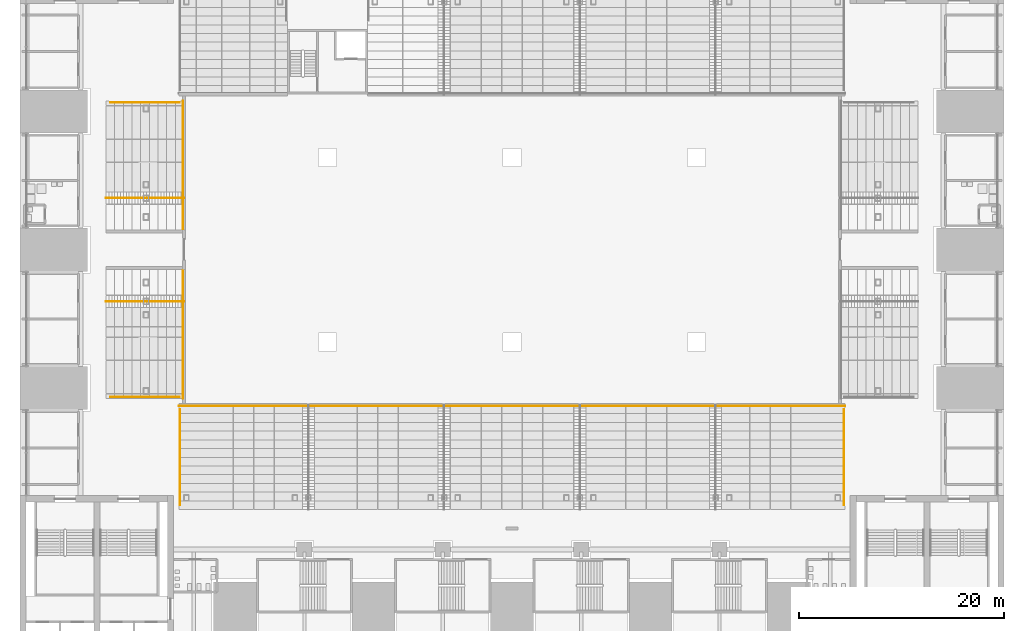
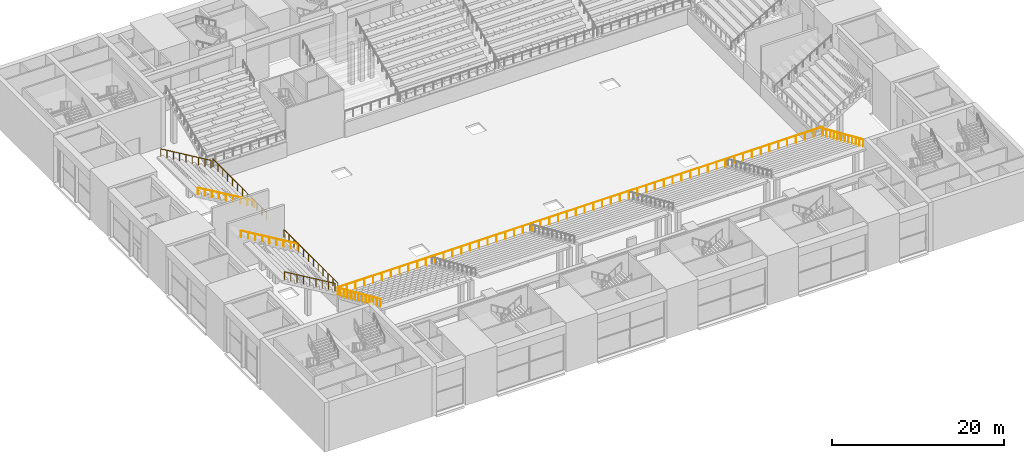
# One storey, part 56 of 62: 3 railings.
"""IFC4 building model written with IfcOpenShell, lengths in metres."""

from ifc_helpers import new_model, si_unit, direction, frame, origin, origin_2d, place, context, subcontext, project, spatial, circle, extrude, material, type_object, element, save


model = new_model("IFC4")

# Units and contexts
model_context = context("Model", 3, precision=1e-05, world=origin(), true_north=direction((0.0, 1.0)))
body_context = subcontext(model_context, "Body", "Model", "MODEL_VIEW")
ifc_project = project(units=[si_unit("LENGTHUNIT", "METRE"), si_unit("AREAUNIT", "SQUARE_METRE"), si_unit("VOLUMEUNIT", "CUBIC_METRE"), si_unit("PLANEANGLEUNIT", "RADIAN"), si_unit("MASSUNIT", "GRAM", prefix="KILO")], contexts=[model_context])

# Site, building, storey
site_placement = place(None, origin())
site = spatial("IfcSite", under=ifc_project, at=site_placement, CompositionType="ELEMENT")
building_placement = place(site_placement, origin())
building = spatial("IfcBuilding", under=site, at=building_placement, Name="Corbelhall Arena Tower", CompositionType="ELEMENT")
storey_placement = place(building_placement, frame((0.0, 0.0, 12.0)))
storey = spatial("IfcBuildingStorey", under=building, at=storey_placement, Name="L01", CompositionType="ELEMENT", Elevation=12.0)

# Railings
ifc_material_1 = material(Name="Stainless steel A4 and laminated glass", Category="steel")
railing_type_1 = type_object("IfcRailingType", Name="AR-GUARD-GLASS", PredefinedType="GUARDRAIL", material=ifc_material_1)
railing_1_placement = place(storey_placement, frame((32.5, -15.25, 2.5)))
element("IfcRailing", 1, at=railing_1_placement, inside=storey, type_object=railing_type_1, Name="Tier guards LS", PredefinedType="GUARDRAIL", context=body_context, shape_type="SweptSolid", body=[
    extrude(circle(Radius=0.02392578125, at=origin_2d()), frame((0.0, 0.0, 1.076171875), z_axis=(-1.0, 0.0, 0.0), x_axis=(0.0, -1.0, 0.0)), (0.0, 0.0, 1.0), 65.0),
    extrude(circle(Radius=0.02392578125, at=origin_2d()), frame((-0.1201171875, -0.324951171875, 1.076171875), z_axis=(0.0, -0.914934924949, 0.403601391362), x_axis=(1.0, 0.0, 0.0)), (0.0, 0.0, 1.0), 0.92919921875),
    extrude(circle(Radius=0.02392578125, at=origin_2d()), frame((-0.1201171875, -1.175048828125, 1.451171875), z_axis=(0.0, -0.914892107244, 0.403698442036), x_axis=(1.0, 0.0, 0.0)), (0.0, 0.0, 1.0), 0.928955078125),
    extrude(circle(Radius=0.02392578125, at=origin_2d()), frame((-0.1201171875, -2.02490234375, 1.826171875), z_axis=(0.0, -0.914934924949, 0.403601391362), x_axis=(1.0, 0.0, 0.0)), (0.0, 0.0, 1.0), 0.92919921875),
    extrude(circle(Radius=0.02392578125, at=origin_2d()), frame((-0.1201171875, -2.875, 2.201171875), z_axis=(0.0, -0.914934924949, 0.403601391362), x_axis=(1.0, 0.0, 0.0)), (0.0, 0.0, 1.0), 0.92919921875),
    extrude(circle(Radius=0.02392578125, at=origin_2d()), frame((-0.1201171875, -3.72509765625, 2.576171875), z_axis=(0.0, -0.914892107244, 0.403698442036), x_axis=(1.0, 0.0, 0.0)), (0.0, 0.0, 1.0), 0.928955078125),
    extrude(circle(Radius=0.02392578125, at=origin_2d()), frame((-0.1201171875, -4.574951171875, 2.951171875), z_axis=(0.0, -0.914934924949, 0.403601391362), x_axis=(1.0, 0.0, 0.0)), (0.0, 0.0, 1.0), 0.92919921875),
    extrude(circle(Radius=0.02392578125, at=origin_2d()), frame((-0.1201171875, -5.425048828125, 3.326171875), z_axis=(0.0, -0.914892107244, 0.403698442036), x_axis=(1.0, 0.0, 0.0)), (0.0, 0.0, 1.0), 0.928955078125),
    extrude(circle(Radius=0.02392578125, at=origin_2d()), frame((-0.1201171875, -6.27490234375, 3.701171875), z_axis=(0.0, -0.914934924949, 0.403601391362), x_axis=(1.0, 0.0, 0.0)), (0.0, 0.0, 1.0), 0.92919921875),
    extrude(circle(Radius=0.02392578125, at=origin_2d()), frame((-0.1201171875, -7.125, 4.076171875), z_axis=(0.0, -0.914934924949, 0.403601391362), x_axis=(1.0, 0.0, 0.0)), (0.0, 0.0, 1.0), 0.92919921875),
    extrude(circle(Radius=0.02392578125, at=origin_2d()), frame((-0.1201171875, -7.97509765625, 4.451171875), z_axis=(0.0, -0.914892107244, 0.403698442036), x_axis=(1.0, 0.0, 0.0)), (0.0, 0.0, 1.0), 0.928955078125),
    extrude(circle(Radius=0.02392578125, at=origin_2d()), frame((-0.1201171875, -8.824951171875, 4.826171875), z_axis=(0.0, -0.914934924949, 0.403601391362), x_axis=(1.0, 0.0, 0.0)), (0.0, 0.0, 1.0), 0.92919921875),
    extrude(circle(Radius=0.02392578125, at=origin_2d()), frame((-64.8798828125, -0.324951171875, 1.076171875), z_axis=(0.0, -0.914934924949, 0.403601391362), x_axis=(1.0, 0.0, 0.0)), (0.0, 0.0, 1.0), 0.92919921875),
    extrude(circle(Radius=0.02392578125, at=origin_2d()), frame((-64.8798828125, -1.175048828125, 1.451171875), z_axis=(0.0, -0.914892107244, 0.403698442036), x_axis=(1.0, 0.0, 0.0)), (0.0, 0.0, 1.0), 0.928955078125),
    extrude(circle(Radius=0.02392578125, at=origin_2d()), frame((-64.8798828125, -2.02490234375, 1.826171875), z_axis=(0.0, -0.914934924949, 0.403601391362), x_axis=(1.0, 0.0, 0.0)), (0.0, 0.0, 1.0), 0.92919921875),
    extrude(circle(Radius=0.02392578125, at=origin_2d()), frame((-64.8798828125, -2.875, 2.201171875), z_axis=(0.0, -0.914934924949, 0.403601391362), x_axis=(1.0, 0.0, 0.0)), (0.0, 0.0, 1.0), 0.92919921875),
    extrude(circle(Radius=0.02392578125, at=origin_2d()), frame((-64.8798828125, -3.72509765625, 2.576171875), z_axis=(0.0, -0.914892107244, 0.403698442036), x_axis=(1.0, 0.0, 0.0)), (0.0, 0.0, 1.0), 0.928955078125),
    extrude(circle(Radius=0.02392578125, at=origin_2d()), frame((-64.8798828125, -4.574951171875, 2.951171875), z_axis=(0.0, -0.914934924949, 0.403601391362), x_axis=(1.0, 0.0, 0.0)), (0.0, 0.0, 1.0), 0.92919921875),
    extrude(circle(Radius=0.02392578125, at=origin_2d()), frame((-64.8798828125, -5.425048828125, 3.326171875), z_axis=(0.0, -0.914892107244, 0.403698442036), x_axis=(1.0, 0.0, 0.0)), (0.0, 0.0, 1.0), 0.928955078125),
    extrude(circle(Radius=0.02392578125, at=origin_2d()), frame((-64.8798828125, -6.27490234375, 3.701171875), z_axis=(0.0, -0.914934924949, 0.403601391362), x_axis=(1.0, 0.0, 0.0)), (0.0, 0.0, 1.0), 0.92919921875),
    extrude(circle(Radius=0.02392578125, at=origin_2d()), frame((-64.8798828125, -7.125, 4.076171875), z_axis=(0.0, -0.914934924949, 0.403601391362), x_axis=(1.0, 0.0, 0.0)), (0.0, 0.0, 1.0), 0.92919921875),
    extrude(circle(Radius=0.02392578125, at=origin_2d()), frame((-64.8798828125, -7.97509765625, 4.451171875), z_axis=(0.0, -0.914892107244, 0.403698442036), x_axis=(1.0, 0.0, 0.0)), (0.0, 0.0, 1.0), 0.928955078125),
    extrude(circle(Radius=0.02392578125, at=origin_2d()), frame((-64.8798828125, -8.824951171875, 4.826171875), z_axis=(0.0, -0.914934924949, 0.403601391362), x_axis=(1.0, 0.0, 0.0)), (0.0, 0.0, 1.0), 0.92919921875),
    extrude(circle(Radius=0.02099609375, at=origin_2d()), origin(), (0.0, 0.0, 1.0), 1.052001953125),
    extrude(circle(Radius=0.02099609375, at=origin_2d()), frame((-1.181884765625, 0.0, 0.0)), (0.0, 0.0, 1.0), 1.052001953125),
    extrude(circle(Radius=0.02099609375, at=origin_2d()), frame((-2.363525390625, 0.0, 0.0)), (0.0, 0.0, 1.0), 1.052001953125),
    extrude(circle(Radius=0.02099609375, at=origin_2d()), frame((-3.54541015625, 0.0, 0.0)), (0.0, 0.0, 1.0), 1.052001953125),
    extrude(circle(Radius=0.02099609375, at=origin_2d()), frame((-4.727294921875, 0.0, 0.0)), (0.0, 0.0, 1.0), 1.052001953125),
    extrude(circle(Radius=0.02099609375, at=origin_2d()), frame((-5.9091796875, 0.0, 0.0)), (0.0, 0.0, 1.0), 1.052001953125),
    extrude(circle(Radius=0.02099609375, at=origin_2d()), frame((-7.0908203125, 0.0, 0.0)), (0.0, 0.0, 1.0), 1.052001953125),
    extrude(circle(Radius=0.02099609375, at=origin_2d()), frame((-8.272705078125, 0.0, 0.0)), (0.0, 0.0, 1.0), 1.052001953125),
    extrude(circle(Radius=0.02099609375, at=origin_2d()), frame((-9.45458984375, 0.0, 0.0)), (0.0, 0.0, 1.0), 1.052001953125),
    extrude(circle(Radius=0.02099609375, at=origin_2d()), frame((-10.636474609375, 0.0, 0.0)), (0.0, 0.0, 1.0), 1.052001953125),
    extrude(circle(Radius=0.02099609375, at=origin_2d()), frame((-11.818115234375, 0.0, 0.0)), (0.0, 0.0, 1.0), 1.052001953125),
    extrude(circle(Radius=0.02099609375, at=origin_2d()), frame((-13.0, 0.0, 0.0)), (0.0, 0.0, 1.0), 1.052001953125),
    extrude(circle(Radius=0.02099609375, at=origin_2d()), frame((-14.181884765625, 0.0, 0.0)), (0.0, 0.0, 1.0), 1.052001953125),
    extrude(circle(Radius=0.02099609375, at=origin_2d()), frame((-15.363525390625, 0.0, 0.0)), (0.0, 0.0, 1.0), 1.052001953125),
    extrude(circle(Radius=0.02099609375, at=origin_2d()), frame((-16.54541015625, 0.0, 0.0)), (0.0, 0.0, 1.0), 1.052001953125),
    extrude(circle(Radius=0.02099609375, at=origin_2d()), frame((-17.727294921875, 0.0, 0.0)), (0.0, 0.0, 1.0), 1.052001953125),
    extrude(circle(Radius=0.02099609375, at=origin_2d()), frame((-18.9091796875, 0.0, 0.0)), (0.0, 0.0, 1.0), 1.052001953125),
    extrude(circle(Radius=0.02099609375, at=origin_2d()), frame((-20.0908203125, 0.0, 0.0)), (0.0, 0.0, 1.0), 1.052001953125),
    extrude(circle(Radius=0.02099609375, at=origin_2d()), frame((-21.272705078125, 0.0, 0.0)), (0.0, 0.0, 1.0), 1.052001953125),
    extrude(circle(Radius=0.02099609375, at=origin_2d()), frame((-22.45458984375, 0.0, 0.0)), (0.0, 0.0, 1.0), 1.052001953125),
    extrude(circle(Radius=0.02099609375, at=origin_2d()), frame((-23.636474609375, 0.0, 0.0)), (0.0, 0.0, 1.0), 1.052001953125),
    extrude(circle(Radius=0.02099609375, at=origin_2d()), frame((-24.818115234375, 0.0, 0.0)), (0.0, 0.0, 1.0), 1.052001953125),
    extrude(circle(Radius=0.02099609375, at=origin_2d()), frame((-26.0, 0.0, 0.0)), (0.0, 0.0, 1.0), 1.052001953125),
    extrude(circle(Radius=0.02099609375, at=origin_2d()), frame((-27.181884765625, 0.0, 0.0)), (0.0, 0.0, 1.0), 1.052001953125),
    extrude(circle(Radius=0.02099609375, at=origin_2d()), frame((-28.363525390625, 0.0, 0.0)), (0.0, 0.0, 1.0), 1.052001953125),
    extrude(circle(Radius=0.02099609375, at=origin_2d()), frame((-29.54541015625, 0.0, 0.0)), (0.0, 0.0, 1.0), 1.052001953125),
    extrude(circle(Radius=0.02099609375, at=origin_2d()), frame((-30.727294921875, 0.0, 0.0)), (0.0, 0.0, 1.0), 1.052001953125),
    extrude(circle(Radius=0.02099609375, at=origin_2d()), frame((-31.9091796875, 0.0, 0.0)), (0.0, 0.0, 1.0), 1.052001953125),
    extrude(circle(Radius=0.02099609375, at=origin_2d()), frame((-33.0908203125, 0.0, 0.0)), (0.0, 0.0, 1.0), 1.052001953125),
    extrude(circle(Radius=0.02099609375, at=origin_2d()), frame((-34.272705078125, 0.0, 0.0)), (0.0, 0.0, 1.0), 1.052001953125),
    extrude(circle(Radius=0.02099609375, at=origin_2d()), frame((-35.45458984375, 0.0, 0.0)), (0.0, 0.0, 1.0), 1.052001953125),
    extrude(circle(Radius=0.02099609375, at=origin_2d()), frame((-36.636474609375, 0.0, 0.0)), (0.0, 0.0, 1.0), 1.052001953125),
    extrude(circle(Radius=0.02099609375, at=origin_2d()), frame((-37.818115234375, 0.0, 0.0)), (0.0, 0.0, 1.0), 1.052001953125),
    extrude(circle(Radius=0.02099609375, at=origin_2d()), frame((-39.0, 0.0, 0.0)), (0.0, 0.0, 1.0), 1.052001953125),
    extrude(circle(Radius=0.02099609375, at=origin_2d()), frame((-40.181884765625, 0.0, 0.0)), (0.0, 0.0, 1.0), 1.052001953125),
    extrude(circle(Radius=0.02099609375, at=origin_2d()), frame((-41.363525390625, 0.0, 0.0)), (0.0, 0.0, 1.0), 1.052001953125),
    extrude(circle(Radius=0.02099609375, at=origin_2d()), frame((-42.54541015625, 0.0, 0.0)), (0.0, 0.0, 1.0), 1.052001953125),
    extrude(circle(Radius=0.02099609375, at=origin_2d()), frame((-43.727294921875, 0.0, 0.0)), (0.0, 0.0, 1.0), 1.052001953125),
    extrude(circle(Radius=0.02099609375, at=origin_2d()), frame((-44.9091796875, 0.0, 0.0)), (0.0, 0.0, 1.0), 1.052001953125),
    extrude(circle(Radius=0.02099609375, at=origin_2d()), frame((-46.0908203125, 0.0, 0.0)), (0.0, 0.0, 1.0), 1.052001953125),
    extrude(circle(Radius=0.02099609375, at=origin_2d()), frame((-47.272705078125, 0.0, 0.0)), (0.0, 0.0, 1.0), 1.052001953125),
    extrude(circle(Radius=0.02099609375, at=origin_2d()), frame((-48.45458984375, 0.0, 0.0)), (0.0, 0.0, 1.0), 1.052001953125),
    extrude(circle(Radius=0.02099609375, at=origin_2d()), frame((-49.636474609375, 0.0, 0.0)), (0.0, 0.0, 1.0), 1.052001953125),
    extrude(circle(Radius=0.02099609375, at=origin_2d()), frame((-50.818115234375, 0.0, 0.0)), (0.0, 0.0, 1.0), 1.052001953125),
    extrude(circle(Radius=0.02099609375, at=origin_2d()), frame((-52.0, 0.0, 0.0)), (0.0, 0.0, 1.0), 1.052001953125),
    extrude(circle(Radius=0.02099609375, at=origin_2d()), frame((-53.181884765625, 0.0, 0.0)), (0.0, 0.0, 1.0), 1.052001953125),
    extrude(circle(Radius=0.02099609375, at=origin_2d()), frame((-54.363525390625, 0.0, 0.0)), (0.0, 0.0, 1.0), 1.052001953125),
    extrude(circle(Radius=0.02099609375, at=origin_2d()), frame((-55.54541015625, 0.0, 0.0)), (0.0, 0.0, 1.0), 1.052001953125),
    extrude(circle(Radius=0.02099609375, at=origin_2d()), frame((-56.727294921875, 0.0, 0.0)), (0.0, 0.0, 1.0), 1.052001953125),
    extrude(circle(Radius=0.02099609375, at=origin_2d()), frame((-57.9091796875, 0.0, 0.0)), (0.0, 0.0, 1.0), 1.052001953125),
    extrude(circle(Radius=0.02099609375, at=origin_2d()), frame((-59.0908203125, 0.0, 0.0)), (0.0, 0.0, 1.0), 1.052001953125),
    extrude(circle(Radius=0.02099609375, at=origin_2d()), frame((-60.272705078125, 0.0, 0.0)), (0.0, 0.0, 1.0), 1.052001953125),
    extrude(circle(Radius=0.02099609375, at=origin_2d()), frame((-61.45458984375, 0.0, 0.0)), (0.0, 0.0, 1.0), 1.052001953125),
    extrude(circle(Radius=0.02099609375, at=origin_2d()), frame((-62.636474609375, 0.0, 0.0)), (0.0, 0.0, 1.0), 1.052001953125),
    extrude(circle(Radius=0.02099609375, at=origin_2d()), frame((-63.818115234375, 0.0, 0.0)), (0.0, 0.0, 1.0), 1.052001953125),
    extrude(circle(Radius=0.02099609375, at=origin_2d()), frame((-65.0, 0.0, 0.0)), (0.0, 0.0, 1.0), 1.052001953125),
    extrude(circle(Radius=0.02099609375, at=origin_2d()), frame((-0.1201171875, -0.324951171875, 0.0)), (0.0, 0.0, 1.0), 1.052001953125),
    extrude(circle(Radius=0.02099609375, at=origin_2d()), frame((-0.1201171875, -1.175048828125, 0.375)), (0.0, 0.0, 1.0), 1.052001953125),
    extrude(circle(Radius=0.02099609375, at=origin_2d()), frame((-0.1201171875, -2.02490234375, 0.75)), (0.0, 0.0, 1.0), 1.052001953125),
    extrude(circle(Radius=0.02099609375, at=origin_2d()), frame((-0.1201171875, -2.875, 1.125)), (0.0, 0.0, 1.0), 1.052001953125),
    extrude(circle(Radius=0.02099609375, at=origin_2d()), frame((-0.1201171875, -3.72509765625, 1.5)), (0.0, 0.0, 1.0), 1.052001953125),
    extrude(circle(Radius=0.02099609375, at=origin_2d()), frame((-0.1201171875, -4.574951171875, 1.875)), (0.0, 0.0, 1.0), 1.052001953125),
    extrude(circle(Radius=0.02099609375, at=origin_2d()), frame((-0.1201171875, -5.425048828125, 2.25)), (0.0, 0.0, 1.0), 1.052001953125),
    extrude(circle(Radius=0.02099609375, at=origin_2d()), frame((-0.1201171875, -6.27490234375, 2.625)), (0.0, 0.0, 1.0), 1.052001953125),
    extrude(circle(Radius=0.02099609375, at=origin_2d()), frame((-0.1201171875, -7.125, 3.0)), (0.0, 0.0, 1.0), 1.052001953125),
    extrude(circle(Radius=0.02099609375, at=origin_2d()), frame((-0.1201171875, -7.97509765625, 3.375)), (0.0, 0.0, 1.0), 1.052001953125),
    extrude(circle(Radius=0.02099609375, at=origin_2d()), frame((-0.1201171875, -8.824951171875, 3.75)), (0.0, 0.0, 1.0), 1.052001953125),
    extrude(circle(Radius=0.02099609375, at=origin_2d()), frame((-0.1201171875, -9.675048828125, 4.125)), (0.0, 0.0, 1.0), 1.052001953125),
    extrude(circle(Radius=0.02099609375, at=origin_2d()), frame((-64.8798828125, -0.324951171875, 0.0)), (0.0, 0.0, 1.0), 1.052001953125),
    extrude(circle(Radius=0.02099609375, at=origin_2d()), frame((-64.8798828125, -1.175048828125, 0.375)), (0.0, 0.0, 1.0), 1.052001953125),
    extrude(circle(Radius=0.02099609375, at=origin_2d()), frame((-64.8798828125, -2.02490234375, 0.75)), (0.0, 0.0, 1.0), 1.052001953125),
    extrude(circle(Radius=0.02099609375, at=origin_2d()), frame((-64.8798828125, -2.875, 1.125)), (0.0, 0.0, 1.0), 1.052001953125),
    extrude(circle(Radius=0.02099609375, at=origin_2d()), frame((-64.8798828125, -3.72509765625, 1.5)), (0.0, 0.0, 1.0), 1.052001953125),
    extrude(circle(Radius=0.02099609375, at=origin_2d()), frame((-64.8798828125, -4.574951171875, 1.875)), (0.0, 0.0, 1.0), 1.052001953125),
    extrude(circle(Radius=0.02099609375, at=origin_2d()), frame((-64.8798828125, -5.425048828125, 2.25)), (0.0, 0.0, 1.0), 1.052001953125),
    extrude(circle(Radius=0.02099609375, at=origin_2d()), frame((-64.8798828125, -6.27490234375, 2.625)), (0.0, 0.0, 1.0), 1.052001953125),
    extrude(circle(Radius=0.02099609375, at=origin_2d()), frame((-64.8798828125, -7.125, 3.0)), (0.0, 0.0, 1.0), 1.052001953125),
    extrude(circle(Radius=0.02099609375, at=origin_2d()), frame((-64.8798828125, -7.97509765625, 3.375)), (0.0, 0.0, 1.0), 1.052001953125),
    extrude(circle(Radius=0.02099609375, at=origin_2d()), frame((-64.8798828125, -8.824951171875, 3.75)), (0.0, 0.0, 1.0), 1.052001953125),
    extrude(circle(Radius=0.02099609375, at=origin_2d()), frame((-64.8798828125, -9.675048828125, 4.125)), (0.0, 0.0, 1.0), 1.052001953125),
])
railing_2_placement = place(storey_placement, frame((-32.10009765625, 14.5, 2.5)))
element("IfcRailing", 2, at=railing_2_placement, inside=storey, type_object=railing_type_1, Name="Tier guards LW", PredefinedType="GUARDRAIL", context=body_context, shape_type="SweptSolid", body=[
    extrude(circle(Radius=0.02392578125, at=origin_2d()), frame((0.0, 0.0, 1.076171875), z_axis=(0.0, -1.0, 0.0), x_axis=(1.0, 0.0, 0.0)), (0.0, 0.0, 1.0), 12.489990234375),
    extrude(circle(Radius=0.02392578125, at=origin_2d()), frame((0.0, -16.510009765625, 1.076171875), z_axis=(0.0, -1.0, 0.0), x_axis=(1.0, 0.0, 0.0)), (0.0, 0.0, 1.0), 12.489990234375),
    extrude(circle(Radius=0.02392578125, at=origin_2d()), frame((-0.322509765625, -0.1201171875, 1.076171875), z_axis=(-0.860614493438, 0.0, 0.509257001606), x_axis=(0.0, -1.0, 0.0)), (0.0, 0.0, 1.0), 0.98193359375),
    extrude(circle(Radius=0.02392578125, at=origin_2d()), frame((-1.16748046875, -0.1201171875, 1.576171875), z_axis=(-0.860614493438, 0.0, 0.509257001606), x_axis=(0.0, -1.0, 0.0)), (0.0, 0.0, 1.0), 0.98193359375),
    extrude(circle(Radius=0.02392578125, at=origin_2d()), frame((-2.012451171875, -0.1201171875, 2.076171875), z_axis=(-0.860614493438, 0.0, 0.509257001606), x_axis=(0.0, -1.0, 0.0)), (0.0, 0.0, 1.0), 0.98193359375),
    extrude(circle(Radius=0.02392578125, at=origin_2d()), frame((-2.857421875, -0.1201171875, 2.576171875), z_axis=(-0.860614493438, 0.0, 0.509257001606), x_axis=(0.0, -1.0, 0.0)), (0.0, 0.0, 1.0), 0.98193359375),
    extrude(circle(Radius=0.02392578125, at=origin_2d()), frame((-3.702392578125, -0.1201171875, 3.076171875), z_axis=(-0.860614493438, 0.0, 0.509257001606), x_axis=(0.0, -1.0, 0.0)), (0.0, 0.0, 1.0), 0.98193359375),
    extrude(circle(Radius=0.02392578125, at=origin_2d()), frame((-4.54736328125, -0.1201171875, 3.576171875), z_axis=(-0.860614493438, 0.0, 0.509257001606), x_axis=(0.0, -1.0, 0.0)), (0.0, 0.0, 1.0), 0.98193359375),
    extrude(circle(Radius=0.02392578125, at=origin_2d()), frame((-5.392333984375, -0.1201171875, 4.076171875), z_axis=(-0.860614493438, 0.0, 0.509257001606), x_axis=(0.0, -1.0, 0.0)), (0.0, 0.0, 1.0), 0.98193359375),
    extrude(circle(Radius=0.02392578125, at=origin_2d()), frame((-6.2373046875, -0.1201171875, 4.576171875), z_axis=(-0.860678961064, 0.0, 0.509148039358), x_axis=(0.0, -1.0, 0.0)), (0.0, 0.0, 1.0), 0.98193359375),
    extrude(circle(Radius=0.02392578125, at=origin_2d()), frame((-0.322509765625, -28.8798828125, 1.076171875), z_axis=(-0.860614493438, 0.0, 0.509257001606), x_axis=(0.0, -1.0, 0.0)), (0.0, 0.0, 1.0), 0.98193359375),
    extrude(circle(Radius=0.02392578125, at=origin_2d()), frame((-1.16748046875, -28.8798828125, 1.576171875), z_axis=(-0.860614493438, 0.0, 0.509257001606), x_axis=(0.0, -1.0, 0.0)), (0.0, 0.0, 1.0), 0.98193359375),
    extrude(circle(Radius=0.02392578125, at=origin_2d()), frame((-2.012451171875, -28.8798828125, 2.076171875), z_axis=(-0.860614493438, 0.0, 0.509257001606), x_axis=(0.0, -1.0, 0.0)), (0.0, 0.0, 1.0), 0.98193359375),
    extrude(circle(Radius=0.02392578125, at=origin_2d()), frame((-2.857421875, -28.8798828125, 2.576171875), z_axis=(-0.860614493438, 0.0, 0.509257001606), x_axis=(0.0, -1.0, 0.0)), (0.0, 0.0, 1.0), 0.98193359375),
    extrude(circle(Radius=0.02392578125, at=origin_2d()), frame((-3.702392578125, -28.8798828125, 3.076171875), z_axis=(-0.860614493438, 0.0, 0.509257001606), x_axis=(0.0, -1.0, 0.0)), (0.0, 0.0, 1.0), 0.98193359375),
    extrude(circle(Radius=0.02392578125, at=origin_2d()), frame((-4.54736328125, -28.8798828125, 3.576171875), z_axis=(-0.860614493438, 0.0, 0.509257001606), x_axis=(0.0, -1.0, 0.0)), (0.0, 0.0, 1.0), 0.98193359375),
    extrude(circle(Radius=0.02392578125, at=origin_2d()), frame((-5.392333984375, -28.8798828125, 4.076171875), z_axis=(-0.860614493438, 0.0, 0.509257001606), x_axis=(0.0, -1.0, 0.0)), (0.0, 0.0, 1.0), 0.98193359375),
    extrude(circle(Radius=0.02392578125, at=origin_2d()), frame((-6.2373046875, -28.8798828125, 4.576171875), z_axis=(-0.860678961064, 0.0, 0.509148039358), x_axis=(0.0, -1.0, 0.0)), (0.0, 0.0, 1.0), 0.98193359375),
    extrude(circle(Radius=0.02099609375, at=origin_2d()), origin(), (0.0, 0.0, 1.0), 1.052001953125),
    extrude(circle(Radius=0.02099609375, at=origin_2d()), frame((0.0, -1.135498046875, 0.0)), (0.0, 0.0, 1.0), 1.052001953125),
    extrude(circle(Radius=0.02099609375, at=origin_2d()), frame((0.0, -2.27099609375, 0.0)), (0.0, 0.0, 1.0), 1.052001953125),
    extrude(circle(Radius=0.02099609375, at=origin_2d()), frame((0.0, -3.40625, 0.0)), (0.0, 0.0, 1.0), 1.052001953125),
    extrude(circle(Radius=0.02099609375, at=origin_2d()), frame((0.0, -4.541748046875, 0.0)), (0.0, 0.0, 1.0), 1.052001953125),
    extrude(circle(Radius=0.02099609375, at=origin_2d()), frame((0.0, -5.67724609375, 0.0)), (0.0, 0.0, 1.0), 1.052001953125),
    extrude(circle(Radius=0.02099609375, at=origin_2d()), frame((0.0, -6.812744140625, 0.0)), (0.0, 0.0, 1.0), 1.052001953125),
    extrude(circle(Radius=0.02099609375, at=origin_2d()), frame((0.0, -7.9482421875, 0.0)), (0.0, 0.0, 1.0), 1.052001953125),
    extrude(circle(Radius=0.02099609375, at=origin_2d()), frame((0.0, -9.083740234375, 0.0)), (0.0, 0.0, 1.0), 1.052001953125),
    extrude(circle(Radius=0.02099609375, at=origin_2d()), frame((0.0, -10.218994140625, 0.0)), (0.0, 0.0, 1.0), 1.052001953125),
    extrude(circle(Radius=0.02099609375, at=origin_2d()), frame((0.0, -11.3544921875, 0.0)), (0.0, 0.0, 1.0), 1.052001953125),
    extrude(circle(Radius=0.02099609375, at=origin_2d()), frame((0.0, -12.489990234375, 0.0)), (0.0, 0.0, 1.0), 1.052001953125),
    extrude(circle(Radius=0.02099609375, at=origin_2d()), frame((0.0, -16.510009765625, 0.0)), (0.0, 0.0, 1.0), 1.052001953125),
    extrude(circle(Radius=0.02099609375, at=origin_2d()), frame((0.0, -17.6455078125, 0.0)), (0.0, 0.0, 1.0), 1.052001953125),
    extrude(circle(Radius=0.02099609375, at=origin_2d()), frame((0.0, -18.781005859375, 0.0)), (0.0, 0.0, 1.0), 1.052001953125),
    extrude(circle(Radius=0.02099609375, at=origin_2d()), frame((0.0, -19.916259765625, 0.0)), (0.0, 0.0, 1.0), 1.052001953125),
    extrude(circle(Radius=0.02099609375, at=origin_2d()), frame((0.0, -21.0517578125, 0.0)), (0.0, 0.0, 1.0), 1.052001953125),
    extrude(circle(Radius=0.02099609375, at=origin_2d()), frame((0.0, -22.187255859375, 0.0)), (0.0, 0.0, 1.0), 1.052001953125),
    extrude(circle(Radius=0.02099609375, at=origin_2d()), frame((0.0, -23.32275390625, 0.0)), (0.0, 0.0, 1.0), 1.052001953125),
    extrude(circle(Radius=0.02099609375, at=origin_2d()), frame((0.0, -24.458251953125, 0.0)), (0.0, 0.0, 1.0), 1.052001953125),
    extrude(circle(Radius=0.02099609375, at=origin_2d()), frame((0.0, -25.59375, 0.0)), (0.0, 0.0, 1.0), 1.052001953125),
    extrude(circle(Radius=0.02099609375, at=origin_2d()), frame((0.0, -26.72900390625, 0.0)), (0.0, 0.0, 1.0), 1.052001953125),
    extrude(circle(Radius=0.02099609375, at=origin_2d()), frame((0.0, -27.864501953125, 0.0)), (0.0, 0.0, 1.0), 1.052001953125),
    extrude(circle(Radius=0.02099609375, at=origin_2d()), frame((0.0, -29.0, 0.0)), (0.0, 0.0, 1.0), 1.052001953125),
    extrude(circle(Radius=0.02099609375, at=origin_2d()), frame((-0.322509765625, -0.1201171875, 0.0)), (0.0, 0.0, 1.0), 1.052001953125),
    extrude(circle(Radius=0.02099609375, at=origin_2d()), frame((-1.16748046875, -0.1201171875, 0.5)), (0.0, 0.0, 1.0), 1.052001953125),
    extrude(circle(Radius=0.02099609375, at=origin_2d()), frame((-2.012451171875, -0.1201171875, 1.0)), (0.0, 0.0, 1.0), 1.052001953125),
    extrude(circle(Radius=0.02099609375, at=origin_2d()), frame((-2.857421875, -0.1201171875, 1.5)), (0.0, 0.0, 1.0), 1.052001953125),
    extrude(circle(Radius=0.02099609375, at=origin_2d()), frame((-3.702392578125, -0.1201171875, 2.0)), (0.0, 0.0, 1.0), 1.052001953125),
    extrude(circle(Radius=0.02099609375, at=origin_2d()), frame((-4.54736328125, -0.1201171875, 2.5)), (0.0, 0.0, 1.0), 1.052001953125),
    extrude(circle(Radius=0.02099609375, at=origin_2d()), frame((-5.392333984375, -0.1201171875, 3.0)), (0.0, 0.0, 1.0), 1.052001953125),
    extrude(circle(Radius=0.02099609375, at=origin_2d()), frame((-6.2373046875, -0.1201171875, 3.5)), (0.0, 0.0, 1.0), 1.052001953125),
    extrude(circle(Radius=0.02099609375, at=origin_2d()), frame((-7.08251953125, -0.1201171875, 4.0)), (0.0, 0.0, 1.0), 1.052001953125),
    extrude(circle(Radius=0.02099609375, at=origin_2d()), frame((-0.322509765625, -28.8798828125, 0.0)), (0.0, 0.0, 1.0), 1.052001953125),
    extrude(circle(Radius=0.02099609375, at=origin_2d()), frame((-1.16748046875, -28.8798828125, 0.5)), (0.0, 0.0, 1.0), 1.052001953125),
    extrude(circle(Radius=0.02099609375, at=origin_2d()), frame((-2.012451171875, -28.8798828125, 1.0)), (0.0, 0.0, 1.0), 1.052001953125),
    extrude(circle(Radius=0.02099609375, at=origin_2d()), frame((-2.857421875, -28.8798828125, 1.5)), (0.0, 0.0, 1.0), 1.052001953125),
    extrude(circle(Radius=0.02099609375, at=origin_2d()), frame((-3.702392578125, -28.8798828125, 2.0)), (0.0, 0.0, 1.0), 1.052001953125),
    extrude(circle(Radius=0.02099609375, at=origin_2d()), frame((-4.54736328125, -28.8798828125, 2.5)), (0.0, 0.0, 1.0), 1.052001953125),
    extrude(circle(Radius=0.02099609375, at=origin_2d()), frame((-5.392333984375, -28.8798828125, 3.0)), (0.0, 0.0, 1.0), 1.052001953125),
    extrude(circle(Radius=0.02099609375, at=origin_2d()), frame((-6.2373046875, -28.8798828125, 3.5)), (0.0, 0.0, 1.0), 1.052001953125),
    extrude(circle(Radius=0.02099609375, at=origin_2d()), frame((-7.08251953125, -28.8798828125, 4.0)), (0.0, 0.0, 1.0), 1.052001953125),
])
ifc_material_2 = material(Name="Stainless steel A4", Category="steel")
railing_type_2 = type_object("IfcRailingType", Name="AR-HANDRAIL-AISLE", PredefinedType="HANDRAIL", material=ifc_material_2)
railing_3_placement = place(storey_placement, frame((-32.0, 5.033203125, 2.5)))
element("IfcRailing", 3, at=railing_3_placement, inside=storey, type_object=railing_type_2, Name="Aisle handrails LW", PredefinedType="HANDRAIL", context=body_context, shape_type="SweptSolid", body=[
    extrude(circle(Radius=0.02392578125, at=origin_2d()), frame((0.0, 0.0, 0.8759765625), z_axis=(-0.860621658551, 0.0, 0.50924489279), x_axis=(0.0, -1.0, 0.0)), (0.0, 0.0, 1.0), 8.836669921875),
    extrude(circle(Radius=0.02392578125, at=origin_2d()), frame((0.0, -10.06640625, 0.8759765625), z_axis=(-0.860621658551, 0.0, 0.50924489279), x_axis=(0.0, -1.0, 0.0)), (0.0, 0.0, 1.0), 8.836669921875),
    extrude(circle(Radius=0.02099609375, at=origin_2d()), origin(), (0.0, 0.0, 1.0), 0.851806640625),
    extrude(circle(Radius=0.02099609375, at=origin_2d()), frame((-0.95068359375, 0.0, 0.5625)), (0.0, 0.0, 1.0), 0.851806640625),
    extrude(circle(Radius=0.02099609375, at=origin_2d()), frame((-1.9013671875, 0.0, 1.125)), (0.0, 0.0, 1.0), 0.851806640625),
    extrude(circle(Radius=0.02099609375, at=origin_2d()), frame((-2.851806640625, 0.0, 1.6875)), (0.0, 0.0, 1.0), 0.851806640625),
    extrude(circle(Radius=0.02099609375, at=origin_2d()), frame((-3.802490234375, 0.0, 2.25)), (0.0, 0.0, 1.0), 0.851806640625),
    extrude(circle(Radius=0.02099609375, at=origin_2d()), frame((-4.753173828125, 0.0, 2.8125)), (0.0, 0.0, 1.0), 0.851806640625),
    extrude(circle(Radius=0.02099609375, at=origin_2d()), frame((-5.70361328125, 0.0, 3.375)), (0.0, 0.0, 1.0), 0.851806640625),
    extrude(circle(Radius=0.02099609375, at=origin_2d()), frame((-6.654296875, 0.0, 3.9375)), (0.0, 0.0, 1.0), 0.851806640625),
    extrude(circle(Radius=0.02099609375, at=origin_2d()), frame((-7.60498046875, 0.0, 4.5)), (0.0, 0.0, 1.0), 0.851806640625),
    extrude(circle(Radius=0.02099609375, at=origin_2d()), frame((0.0, -10.06640625, 0.0)), (0.0, 0.0, 1.0), 0.851806640625),
    extrude(circle(Radius=0.02099609375, at=origin_2d()), frame((-0.95068359375, -10.06640625, 0.5625)), (0.0, 0.0, 1.0), 0.851806640625),
    extrude(circle(Radius=0.02099609375, at=origin_2d()), frame((-1.9013671875, -10.06640625, 1.125)), (0.0, 0.0, 1.0), 0.851806640625),
    extrude(circle(Radius=0.02099609375, at=origin_2d()), frame((-2.851806640625, -10.06640625, 1.6875)), (0.0, 0.0, 1.0), 0.851806640625),
    extrude(circle(Radius=0.02099609375, at=origin_2d()), frame((-3.802490234375, -10.06640625, 2.25)), (0.0, 0.0, 1.0), 0.851806640625),
    extrude(circle(Radius=0.02099609375, at=origin_2d()), frame((-4.753173828125, -10.06640625, 2.8125)), (0.0, 0.0, 1.0), 0.851806640625),
    extrude(circle(Radius=0.02099609375, at=origin_2d()), frame((-5.70361328125, -10.06640625, 3.375)), (0.0, 0.0, 1.0), 0.851806640625),
    extrude(circle(Radius=0.02099609375, at=origin_2d()), frame((-6.654296875, -10.06640625, 3.9375)), (0.0, 0.0, 1.0), 0.851806640625),
    extrude(circle(Radius=0.02099609375, at=origin_2d()), frame((-7.60498046875, -10.06640625, 4.5)), (0.0, 0.0, 1.0), 0.851806640625),
])

save(model, "model.ifc")
